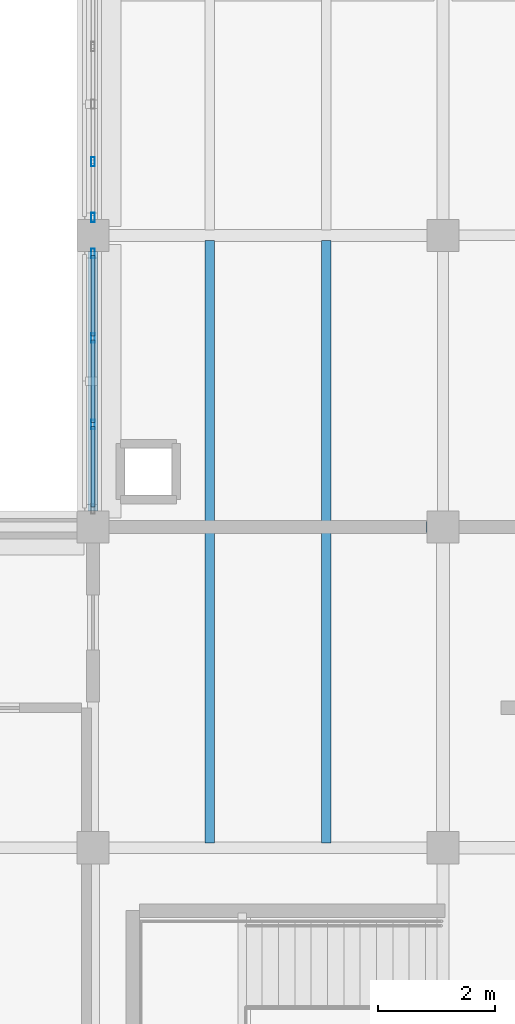
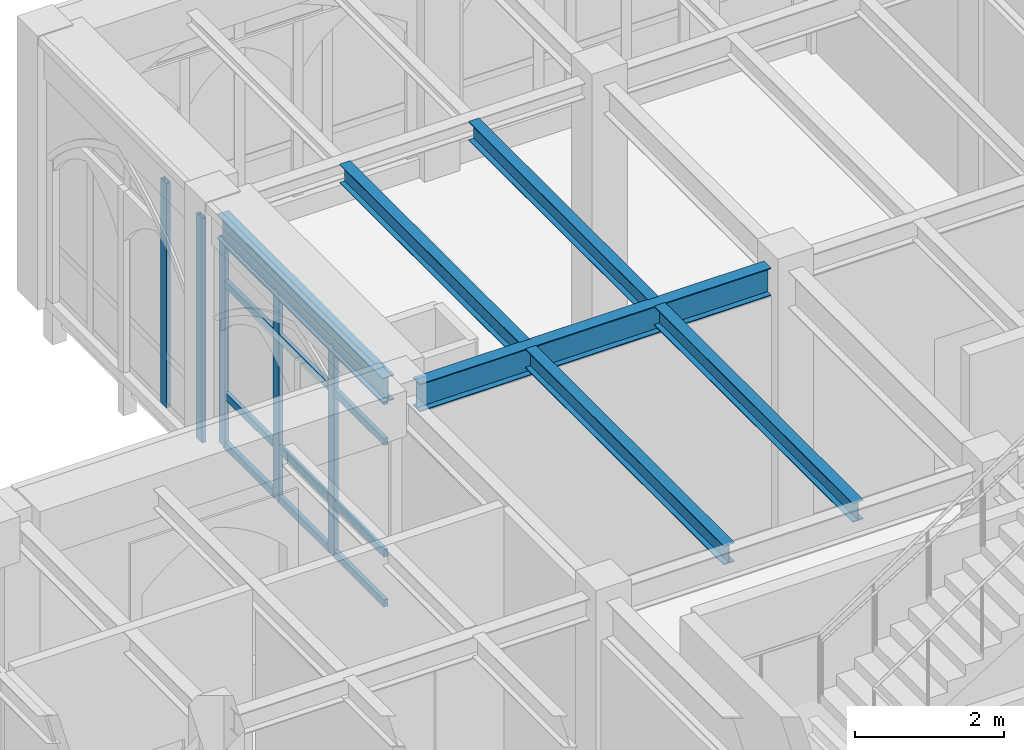
# One storey, part 27 of 108: 17 members, 6 beams, 2 elements without a shape of their own.
"""IFC4 building model written with IfcOpenShell, lengths in metres."""

from ifc_helpers import new_model, si_unit, direction, frame, origin, origin_2d, place, context, subcontext, project, spatial, hollow_rectangle, i_section, extrude, material, layer, layer_set, material_profile, profile_set, type_object, element, aggregate, save


model = new_model("IFC4")

# Units and contexts
model_context = context("Model", 3, precision=1e-05, world=origin(), true_north=direction((0.0, 1.0)))
body_context = subcontext(model_context, "Body", "Model", "MODEL_VIEW")
ifc_project = project(units=[si_unit("LENGTHUNIT", "METRE"), si_unit("AREAUNIT", "SQUARE_METRE"), si_unit("VOLUMEUNIT", "CUBIC_METRE"), si_unit("PLANEANGLEUNIT", "RADIAN"), si_unit("MASSUNIT", "GRAM", prefix="KILO")], contexts=[model_context])

# Site, building, storey
site_placement = place(None, origin())
site = spatial("IfcSite", under=ifc_project, at=site_placement, CompositionType="ELEMENT")
building_placement = place(site_placement, origin())
building = spatial("IfcBuilding", under=site, at=building_placement, Name="Cumevento Cable Car Station", CompositionType="ELEMENT")
storey_placement = place(building_placement, frame((0.0, 0.0, 13.5)))
storey = spatial("IfcBuildingStorey", under=building, at=storey_placement, Name="L04", CompositionType="ELEMENT", Elevation=13.5)

# Curtain wall, members
ifc_material_1 = material(Name="Anodised Bronze Aluminium AW-6063-T6", Category="aluminium")
ifc_layer_1 = layer(ifc_material_1, 0.243896484375)
ifc_layer_set_1 = layer_set([ifc_layer_1], Name="Anodised Bronze Aluminium AW-6063-T6")
curtain_wall_type_1 = type_object("IfcCurtainWallType", Name="Lancet Curtain Wall CW-15 1610", PredefinedType="NOTDEFINED", material=ifc_layer_set_1)
curtain_wall_1_placement = place(storey_placement, origin())
curtain_wall_1 = element("IfcCurtainWall", 1, at=curtain_wall_1_placement, inside=storey, type_object=curtain_wall_type_1, Name="Lancet Curtain Wall CW-15 L04 #174", PredefinedType="NOTDEFINED")
ifc_material_2 = material(Name="Anodised Bronze Aluminium AW-6063-T6", Category="aluminium")
ifc_material_profile_1 = material_profile(ifc_material_2, hollow_rectangle(XDim=0.06494140625, YDim=0.159912109375, WallThickness=0.00390625, at=origin_2d()), Name="ALUM65x160x4")
ifc_profile_set_1 = profile_set([ifc_material_profile_1], Name="Anodised Bronze Aluminium AW-6063-T6")
member_type_1 = type_object("IfcMemberType", Name="Curtain Mullion CWM-01 ALUM65x160x4", PredefinedType="MULLION", material=ifc_profile_set_1)
member_1_placement = place(storey_placement, frame((52.0, 58.25830078125, 0.4599609375), z_axis=(0.0, 0.0, 1.0), x_axis=(-1.0, 0.0, 0.0)))
member_1 = element("IfcMember", 2, at=member_1_placement, type_object=member_type_1, Name="CW-15 mullion 2", PredefinedType="MULLION", context=body_context, shape_type="SweptSolid", body=[
    extrude(hollow_rectangle(XDim=0.06494140625, YDim=0.159912109375, WallThickness=0.00390625, at=origin_2d()), origin(), (0.0, 0.0, 1.0), 3.383056640625),
])
member_2_placement = place(storey_placement, frame((52.0, 59.74169921875, 0.4599609375), z_axis=(0.0, 0.0, 1.0), x_axis=(-1.0, 0.0, 0.0)))
member_2 = element("IfcMember", 3, at=member_2_placement, type_object=member_type_1, Name="CW-15 mullion 3", PredefinedType="MULLION", context=body_context, shape_type="SweptSolid", body=[
    extrude(hollow_rectangle(XDim=0.06494140625, YDim=0.159912109375, WallThickness=0.00390625, at=origin_2d()), origin(), (0.0, 0.0, 1.0), 3.383056640625),
])
member_3_placement = place(storey_placement, frame((52.0, 61.1923828125, 0.4599609375), z_axis=(0.0, 0.0, 1.0), x_axis=(-1.0, 0.0, 0.0)))
member_3 = element("IfcMember", 4, at=member_3_placement, type_object=member_type_1, Name="CW-15 mullion 4", PredefinedType="MULLION", context=body_context, shape_type="SweptSolid", body=[
    extrude(hollow_rectangle(XDim=0.06494140625, YDim=0.159912109375, WallThickness=0.00390625, at=origin_2d()), origin(), (0.0, 0.0, 1.0), 3.383056640625),
])

ifc_material_3 = material(Name="Anodised Bronze Aluminium AW-6063-T6", Category="aluminium")
ifc_layer_2 = layer(ifc_material_3, 0.159912109375)
ifc_layer_set_2 = layer_set([ifc_layer_2], Name="Anodised Bronze Aluminium AW-6063-T6")
curtain_wall_type_2 = type_object("IfcCurtainWallType", Name="Lancet Curtain Wall CW-01 1050", PredefinedType="NOTDEFINED", material=ifc_layer_set_2)
curtain_wall_2_placement = place(storey_placement, origin())
curtain_wall_2 = element("IfcCurtainWall", 5, at=curtain_wall_2_placement, inside=storey, type_object=curtain_wall_type_2, Name="Lancet Curtain Wall CW-01 L04 #176", PredefinedType="NOTDEFINED")
member_4_placement = place(storey_placement, frame((52.0, 61.8076171875, 0.159912109375), z_axis=(0.0, 0.0, 1.0), x_axis=(-1.0, 0.0, 0.0)))
member_4 = element("IfcMember", 6, at=member_4_placement, type_object=member_type_1, Name="CW-01 mullion 1", PredefinedType="MULLION", context=body_context, shape_type="SweptSolid", body=[
    extrude(hollow_rectangle(XDim=0.06494140625, YDim=0.159912109375, WallThickness=0.00390625, at=origin_2d()), origin(), (0.0, 0.0, 1.0), 3.68310546875),
])
member_5_placement = place(storey_placement, frame((52.0, 62.762451171875, 0.159912109375), z_axis=(0.0, 0.0, 1.0), x_axis=(-1.0, 0.0, 0.0)))
member_5 = element("IfcMember", 7, at=member_5_placement, type_object=member_type_1, Name="CW-01 mullion 2", PredefinedType="MULLION", context=body_context, shape_type="SweptSolid", body=[
    extrude(hollow_rectangle(XDim=0.06494140625, YDim=0.159912109375, WallThickness=0.00390625, at=origin_2d()), origin(), (0.0, 0.0, 1.0), 3.68310546875),
])
aggregate(curtain_wall_2, [member_4, member_5])

# Member
ifc_material_4 = material(Name="Anodised Bronze Aluminium AW-6063-T6", Category="aluminium")
ifc_material_profile_2 = material_profile(ifc_material_4, hollow_rectangle(XDim=0.06494140625, YDim=0.1201171875, WallThickness=0.00390625, at=origin_2d()), Name="ALUT65x120x4")
ifc_profile_set_2 = profile_set([ifc_material_profile_2], Name="Anodised Bronze Aluminium AW-6063-T6")
member_type_2 = type_object("IfcMemberType", Name="Curtain Transom CWT-01 ALUT65x120x4", PredefinedType="USERDEFINED", material=ifc_profile_set_2)
member_6_placement = place(storey_placement, frame((52.0, 56.840087890625, 0.492431640625), z_axis=(0.0, 1.0, 0.0), x_axis=(-1.0, 0.0, 0.0)))
member_6 = element("IfcMember", 8, at=member_6_placement, type_object=member_type_2, Name="CW-15 transom 1.1", ObjectType="TRANSOM", PredefinedType="USERDEFINED", context=body_context, shape_type="SweptSolid", body=[
    extrude(hollow_rectangle(XDim=0.06494140625, YDim=0.1201171875, WallThickness=0.00390625, at=origin_2d()), origin(), (0.0, 0.0, 1.0), 1.3857421875),
])

member_7_placement = place(storey_placement, frame((52.0, 56.840087890625, 1.31005859375), z_axis=(0.0, 1.0, 0.0), x_axis=(-1.0, 0.0, 0.0)))
member_7 = element("IfcMember", 9, at=member_7_placement, type_object=member_type_2, Name="CW-15 transom 1.2", ObjectType="TRANSOM", PredefinedType="USERDEFINED", context=body_context, shape_type="SweptSolid", body=[
    extrude(hollow_rectangle(XDim=0.06494140625, YDim=0.1201171875, WallThickness=0.00390625, at=origin_2d()), origin(), (0.0, 0.0, 1.0), 1.3857421875),
])

member_8_placement = place(storey_placement, frame((52.0, 56.840087890625, 3.14306640625), z_axis=(0.0, 1.0, 0.0), x_axis=(-1.0, 0.0, 0.0)))
member_8 = element("IfcMember", 10, at=member_8_placement, type_object=member_type_2, Name="CW-15 transom 1.3", ObjectType="TRANSOM", PredefinedType="USERDEFINED", context=body_context, shape_type="SweptSolid", body=[
    extrude(hollow_rectangle(XDim=0.06494140625, YDim=0.1201171875, WallThickness=0.00390625, at=origin_2d()), origin(), (0.0, 0.0, 1.0), 1.3857421875),
])

member_9_placement = place(storey_placement, frame((52.0, 56.840087890625, 3.810546875), z_axis=(0.0, 1.0, 0.0), x_axis=(-1.0, 0.0, 0.0)))
member_9 = element("IfcMember", 11, at=member_9_placement, type_object=member_type_2, Name="CW-15 transom 1.4", ObjectType="TRANSOM", PredefinedType="USERDEFINED", context=body_context, shape_type="SweptSolid", body=[
    extrude(hollow_rectangle(XDim=0.06494140625, YDim=0.1201171875, WallThickness=0.00390625, at=origin_2d()), origin(), (0.0, 0.0, 1.0), 1.3857421875),
])

member_10_placement = place(storey_placement, frame((52.0, 58.290771484375, 0.492431640625), z_axis=(0.0, 1.0, 0.0), x_axis=(-1.0, 0.0, 0.0)))
member_10 = element("IfcMember", 12, at=member_10_placement, type_object=member_type_2, Name="CW-15 transom 2.1", ObjectType="TRANSOM", PredefinedType="USERDEFINED", context=body_context, shape_type="SweptSolid", body=[
    extrude(hollow_rectangle(XDim=0.06494140625, YDim=0.1201171875, WallThickness=0.00390625, at=origin_2d()), origin(), (0.0, 0.0, 1.0), 1.41845703125),
])

member_11_placement = place(storey_placement, frame((52.0, 58.290771484375, 1.31005859375), z_axis=(0.0, 1.0, 0.0), x_axis=(-1.0, 0.0, 0.0)))
member_11 = element("IfcMember", 13, at=member_11_placement, type_object=member_type_2, Name="CW-15 transom 2.2", ObjectType="TRANSOM", PredefinedType="USERDEFINED", context=body_context, shape_type="SweptSolid", body=[
    extrude(hollow_rectangle(XDim=0.06494140625, YDim=0.1201171875, WallThickness=0.00390625, at=origin_2d()), origin(), (0.0, 0.0, 1.0), 1.41845703125),
])

member_12_placement = place(storey_placement, frame((52.0, 58.290771484375, 3.14306640625), z_axis=(0.0, 1.0, 0.0), x_axis=(-1.0, 0.0, 0.0)))
member_12 = element("IfcMember", 14, at=member_12_placement, type_object=member_type_2, Name="CW-15 transom 2.3", ObjectType="TRANSOM", PredefinedType="USERDEFINED", context=body_context, shape_type="SweptSolid", body=[
    extrude(hollow_rectangle(XDim=0.06494140625, YDim=0.1201171875, WallThickness=0.00390625, at=origin_2d()), origin(), (0.0, 0.0, 1.0), 1.41845703125),
])

member_13_placement = place(storey_placement, frame((52.0, 58.290771484375, 3.810546875), z_axis=(0.0, 1.0, 0.0), x_axis=(-1.0, 0.0, 0.0)))
member_13 = element("IfcMember", 15, at=member_13_placement, type_object=member_type_2, Name="CW-15 transom 2.4", ObjectType="TRANSOM", PredefinedType="USERDEFINED", context=body_context, shape_type="SweptSolid", body=[
    extrude(hollow_rectangle(XDim=0.06494140625, YDim=0.1201171875, WallThickness=0.00390625, at=origin_2d()), origin(), (0.0, 0.0, 1.0), 1.41845703125),
])

member_14_placement = place(storey_placement, frame((52.0, 59.774169921875, 0.492431640625), z_axis=(0.0, 1.0, 0.0), x_axis=(-1.0, 0.0, 0.0)))
member_14 = element("IfcMember", 16, at=member_14_placement, type_object=member_type_2, Name="CW-15 transom 3.1", ObjectType="TRANSOM", PredefinedType="USERDEFINED", context=body_context, shape_type="SweptSolid", body=[
    extrude(hollow_rectangle(XDim=0.06494140625, YDim=0.1201171875, WallThickness=0.00390625, at=origin_2d()), origin(), (0.0, 0.0, 1.0), 1.3857421875),
])

member_15_placement = place(storey_placement, frame((52.0, 59.774169921875, 1.31005859375), z_axis=(0.0, 1.0, 0.0), x_axis=(-1.0, 0.0, 0.0)))
member_15 = element("IfcMember", 17, at=member_15_placement, type_object=member_type_2, Name="CW-15 transom 3.2", ObjectType="TRANSOM", PredefinedType="USERDEFINED", context=body_context, shape_type="SweptSolid", body=[
    extrude(hollow_rectangle(XDim=0.06494140625, YDim=0.1201171875, WallThickness=0.00390625, at=origin_2d()), origin(), (0.0, 0.0, 1.0), 1.3857421875),
])

member_16_placement = place(storey_placement, frame((52.0, 59.774169921875, 3.14306640625), z_axis=(0.0, 1.0, 0.0), x_axis=(-1.0, 0.0, 0.0)))
member_16 = element("IfcMember", 18, at=member_16_placement, type_object=member_type_2, Name="CW-15 transom 3.3", ObjectType="TRANSOM", PredefinedType="USERDEFINED", context=body_context, shape_type="SweptSolid", body=[
    extrude(hollow_rectangle(XDim=0.06494140625, YDim=0.1201171875, WallThickness=0.00390625, at=origin_2d()), origin(), (0.0, 0.0, 1.0), 1.3857421875),
])

member_17_placement = place(storey_placement, frame((52.0, 59.774169921875, 3.810546875), z_axis=(0.0, 1.0, 0.0), x_axis=(-1.0, 0.0, 0.0)))
member_17 = element("IfcMember", 19, at=member_17_placement, type_object=member_type_2, Name="CW-15 transom 3.4", ObjectType="TRANSOM", PredefinedType="USERDEFINED", context=body_context, shape_type="SweptSolid", body=[
    extrude(hollow_rectangle(XDim=0.06494140625, YDim=0.1201171875, WallThickness=0.00390625, at=origin_2d()), origin(), (0.0, 0.0, 1.0), 1.3857421875),
])

aggregate(curtain_wall_1, [member_1, member_2, member_3, member_6, member_7, member_8, member_9, member_10, member_11, member_12, member_13, member_14, member_15, member_16, member_17])

# Beams
ifc_material_5 = material(Name="Steel ASTM A572 Grade 50", Category="steel")
ifc_material_profile_3 = material_profile(ifc_material_5, i_section(OverallWidth=0.18994140625, OverallDepth=0.45703125, WebThickness=0.009033203125, FlangeThickness=0.014404296875, at=origin_2d()), Name="W460x74.0")
ifc_profile_set_3 = profile_set([ifc_material_profile_3], Name="Steel ASTM A572 Grade 50")
beam_type_1 = type_object("IfcBeamType", Name="Structural Beam BM-04 W460x74.0", PredefinedType="BEAM", material=ifc_profile_set_3)
beam_1_placement = place(storey_placement, frame((52.27490234375, 56.5, 4.021484375), z_axis=(1.0, 0.0, 0.0), x_axis=(0.0, 1.0, 0.0)))
element("IfcBeam", 20, at=beam_1_placement, inside=storey, type_object=beam_type_1, Name="Beam BM-04 L04 #1417", PredefinedType="BEAM", context=body_context, shape_type="SweptSolid", body=[
    extrude(i_section(OverallWidth=0.18994140625, OverallDepth=0.45703125, WebThickness=0.009033203125, FlangeThickness=0.014404296875, at=origin_2d()), origin(), (0.0, 0.0, 1.0), 5.4501953125),
])
ifc_material_6 = material(Name="Steel ASTM A572 Grade 50", Category="steel")
ifc_material_profile_4 = material_profile(ifc_material_6, i_section(OverallWidth=0.1669921875, OverallDepth=0.31689453125, WebThickness=0.007568359375, FlangeThickness=0.01318359375, at=origin_2d()), Name="W310x52.0")
ifc_profile_set_4 = profile_set([ifc_material_profile_4], Name="Steel ASTM A572 Grade 50")
beam_type_2 = type_object("IfcBeamType", Name="Structural Joist JS-02 W310x52.0", PredefinedType="JOIST", material=ifc_profile_set_4)
for number, where, z_axis, x_axis, name in (
    (21, (54.0, 51.083984375, 4.091552734375), (0.0, 1.0, 0.0), (-1.0, 0.0, 0.0), "Composite Floor Joist JS-02 L04 #1539"),
    (22, (56.0, 51.083984375, 4.091552734375), (0.0, 1.0, 0.0), (-1.0, 0.0, 0.0), "Composite Floor Joist JS-02 L04 #1540"),
):
    element("IfcBeam", number, at=place(storey_placement, frame(where, z_axis=z_axis, x_axis=x_axis)), inside=storey, type_object=beam_type_2, Name=name, PredefinedType="JOIST", context=body_context, shape_type="SweptSolid", body=[
        extrude(i_section(OverallWidth=0.1669921875, OverallDepth=0.31689453125, WebThickness=0.007568359375, FlangeThickness=0.01318359375, at=origin_2d()), origin(), (0.0, 0.0, 1.0), 5.3330078125),
    ])
ifc_material_7 = material(Name="Steel ASTM A572 Grade 50", Category="steel")
ifc_material_profile_5 = material_profile(ifc_material_7, i_section(OverallWidth=0.1650390625, OverallDepth=0.31005859375, WebThickness=0.005859375, FlangeThickness=0.009765625, at=origin_2d()), Name="W310x38.7")
ifc_profile_set_5 = profile_set([ifc_material_profile_5], Name="Steel ASTM A572 Grade 50")
beam_type_3 = type_object("IfcBeamType", Name="Structural Joist JS-03 W310x38.7", PredefinedType="JOIST", material=ifc_profile_set_5)
for number, where, z_axis, x_axis, name in (
    (23, (54.0, 56.5830078125, 4.094970703125), (0.0, 1.0, 0.0), (-1.0, 0.0, 0.0), "Composite Floor Joist JS-03 L04 #1545"),
    (24, (56.0, 56.5830078125, 4.094970703125), (0.0, 1.0, 0.0), (-1.0, 0.0, 0.0), "Composite Floor Joist JS-03 L04 #1547"),
):
    element("IfcBeam", number, at=place(storey_placement, frame(where, z_axis=z_axis, x_axis=x_axis)), inside=storey, type_object=beam_type_3, Name=name, PredefinedType="JOIST", context=body_context, shape_type="SweptSolid", body=[
        extrude(i_section(OverallWidth=0.1650390625, OverallDepth=0.31005859375, WebThickness=0.005859375, FlangeThickness=0.009765625, at=origin_2d()), origin(), (0.0, 0.0, 1.0), 4.827392578125),
    ])
ifc_material_8 = material(Name="Steel ASTM A572 Grade 50", Category="steel")
ifc_material_profile_6 = material_profile(ifc_material_8, i_section(OverallWidth=0.177978515625, OverallDepth=0.406982421875, WebThickness=0.0078125, FlangeThickness=0.0126953125, at=origin_2d()), Name="W410x60.0")
ifc_profile_set_6 = profile_set([ifc_material_profile_6], Name="Steel ASTM A572 Grade 50")
beam_type_4 = type_object("IfcBeamType", Name="Structural Spandrel SP-01 W410x60.0", PredefinedType="SPANDREL", material=ifc_profile_set_6)
beam_2_placement = place(storey_placement, frame((52.0, 56.77490234375, 4.04638671875), z_axis=(0.0, 1.0, 0.0), x_axis=(-1.0, 0.0, 0.0)))
element("IfcBeam", 25, at=beam_2_placement, inside=storey, type_object=beam_type_4, Name="Beam SP-01 L04 #1443", PredefinedType="SPANDREL", context=body_context, shape_type="SweptSolid", body=[
    extrude(i_section(OverallWidth=0.177978515625, OverallDepth=0.406982421875, WebThickness=0.0078125, FlangeThickness=0.0126953125, at=origin_2d()), origin(), (0.0, 0.0, 1.0), 4.4501953125),
])

save(model, "model.ifc")
